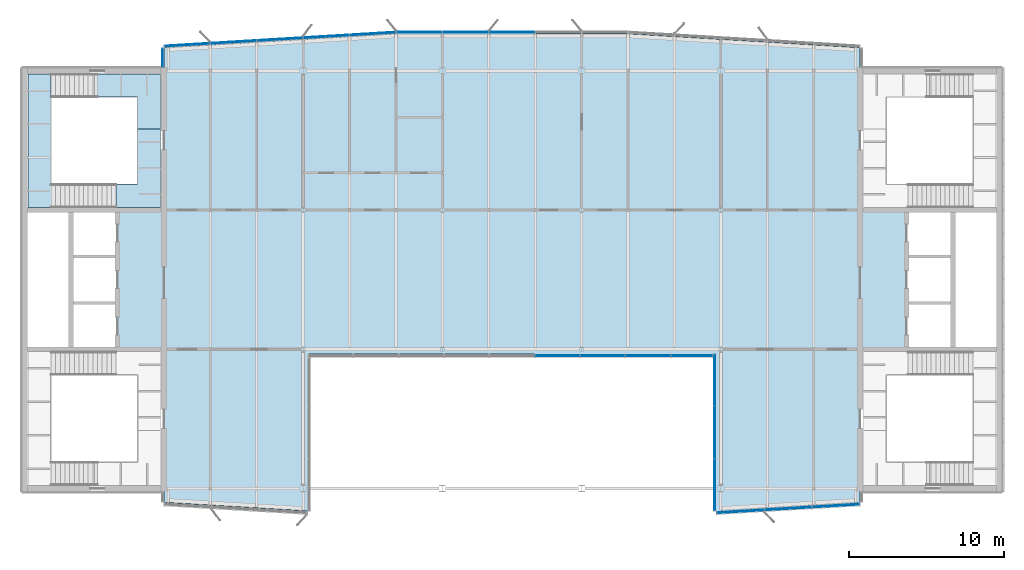
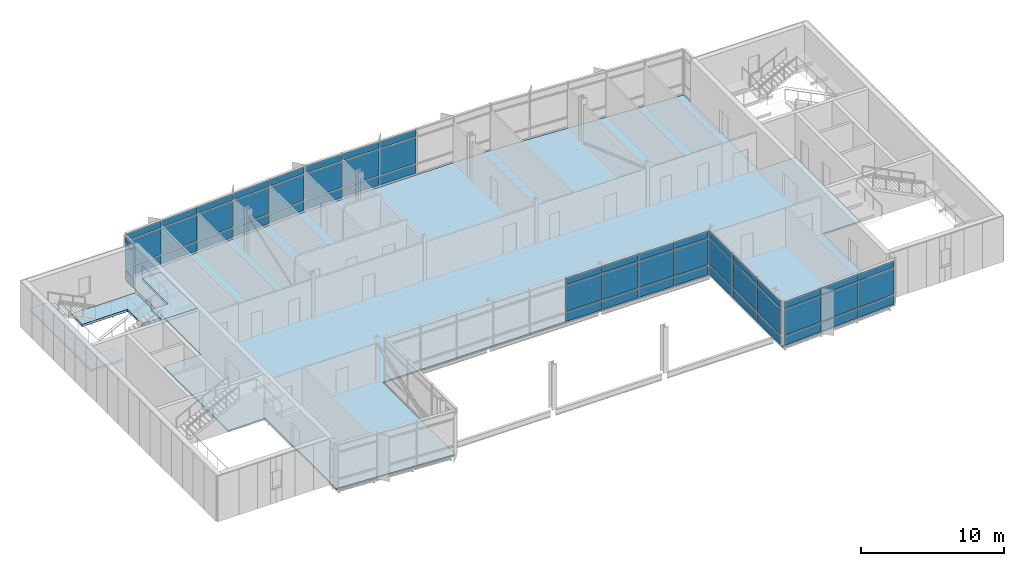
# One storey, part 12 of 20: 57 plates, 4 slabs, 7 elements without a shape of their own.
"""IFC4 building model written with IfcOpenShell, lengths in metres."""

from ifc_helpers import new_model, si_unit, direction, frame, origin, origin_2d, place, context, subcontext, project, spatial, polyline, rectangle, outline, extrude, material, layer, layer_set, type_object, element, aggregate, save


model = new_model("IFC4")

# Units and contexts
model_context = context("Model", 3, precision=1e-05, world=origin(), true_north=direction((0.0, 1.0)))
body_context = subcontext(model_context, "Body", "Model", "MODEL_VIEW")
ifc_project = project(units=[si_unit("LENGTHUNIT", "METRE"), si_unit("AREAUNIT", "SQUARE_METRE"), si_unit("VOLUMEUNIT", "CUBIC_METRE"), si_unit("PLANEANGLEUNIT", "RADIAN"), si_unit("MASSUNIT", "GRAM", prefix="KILO")], contexts=[model_context])

# Site, building, storey
site_placement = place(None, origin())
site = spatial("IfcSite", under=ifc_project, at=site_placement, CompositionType="ELEMENT")
building_placement = place(site_placement, origin())
building = spatial("IfcBuilding", under=site, at=building_placement, Name="Azimuth Sports and Learning Centre", CompositionType="ELEMENT")
storey_placement = place(building_placement, frame((0.0, 0.0, 71.39990234375)))
storey = spatial("IfcBuildingStorey", under=building, at=storey_placement, Name="L16", CompositionType="ELEMENT", Elevation=71.39990234375)

# Slab
ifc_material_1 = material(Name="Concrete C30/37", Category="concrete")
ifc_layer_1 = layer(ifc_material_1, 0.1298828125)
ifc_layer_set_1 = layer_set([ifc_layer_1], Name="Concrete C30/37")
slab_type_1 = type_object("IfcSlabType", Name="Composite floor slab 130", PredefinedType="FLOOR", material=ifc_layer_set_1)
slab_1_placement = place(storey_placement, frame((0.0, 0.0, -0.1298828125)))
element("IfcSlab", 1, at=slab_1_placement, inside=storey, type_object=slab_type_1, Name="Slab TOWER L16", PredefinedType="FLOOR", context=body_context, shape_type="SweptSolid", body=[
    extrude(outline(polyline([(72.300048828125, 88.5419921875), (72.300048828125, 98.699951171875), (98.699951171875, 98.699951171875), (98.699951171875, 88.5419921875), (108.0, 89.10009765625), (108.0, 99.0), (111.0, 99.0), (111.0, 108.0), (108.0, 108.0), (108.0, 118.5), (93.0, 119.39990234375), (78.0, 119.39990234375), (63.0, 118.5), (63.0, 108.0), (60.0, 108.0), (60.0, 99.0), (63.0, 99.0), (63.0, 89.10009765625), (72.300048828125, 88.5419921875)])), origin(), (0.0, 0.0, 1.0), 0.1298828125),
])

# Stair, slabs
ifc_material_2 = material(Name="Concrete C32/40", Category="concrete")
stair_type = type_object("IfcStairType", Name="Square-well stair core 3900 storey", PredefinedType="THREE_QUARTER_TURN_STAIR", material=ifc_material_2)
stair_placement = place(storey_placement, origin())
stair = element("IfcStair", 2, at=stair_placement, inside=storey, type_object=stair_type, Name="Stair W2 L16-L17", PredefinedType="THREE_QUARTER_TURN_STAIR")
ifc_material_3 = material(Name="Concrete C32/40", Category="concrete")
ifc_layer_2 = layer(ifc_material_3, 0.199951171875)
ifc_layer_set_2 = layer_set([ifc_layer_2], Name="Concrete C32/40")
slab_type_2 = type_object("IfcSlabType", Name="Concrete stair landing", PredefinedType="LANDING", material=ifc_layer_set_2)
slab_2_placement = place(storey_placement, frame((0.0, 0.0, -0.199951171875)))
slab_2 = element("IfcSlab", 3, at=slab_2_placement, type_object=slab_type_2, Name="Stair W2 L16 landing 1", PredefinedType="LANDING", context=body_context, shape_type="SweptSolid", body=[
    extrude(outline(polyline([(57.610107421875, 115.2900390625), (61.2900390625, 115.2900390625), (61.2900390625, 113.25), (62.7900390625, 113.25), (62.7900390625, 116.7900390625), (57.610107421875, 116.7900390625), (57.610107421875, 115.2900390625)])), origin(), (0.0, 0.0, 1.0), 0.199951171875),
])
slab_3_placement = place(storey_placement, frame((0.0, 0.0, 1.4501953125)))
slab_3 = element("IfcSlab", 4, at=slab_3_placement, type_object=slab_type_2, Name="Stair W2 L16 landing 2", PredefinedType="LANDING", context=body_context, shape_type="SweptSolid", body=[
    extrude(outline(polyline([(55.7099609375, 115.2900390625), (55.710693359375, 115.2900390625), (55.710693359375, 116.7900390625), (54.2099609375, 116.7900390625), (54.2099609375, 108.159912109375), (56.81005859375, 108.159912109375), (56.81005859375, 109.659912109375), (55.7099609375, 109.659912109375), (55.7099609375, 115.2900390625)])), origin(), (0.0, 0.0, 1.0), 0.199951171875),
])
slab_4_placement = place(storey_placement, frame((0.0, 0.0, 3.7001953125)))
slab_4 = element("IfcSlab", 5, at=slab_4_placement, type_object=slab_type_2, Name="Stair W2 L16 landing 3", PredefinedType="LANDING", context=body_context, shape_type="SweptSolid", body=[
    extrude(outline(polyline([(61.2900390625, 109.659912109375), (59.9091796875, 109.659912109375), (59.9091796875, 108.159912109375), (62.7900390625, 108.159912109375), (62.7900390625, 113.25), (61.2900390625, 113.25), (61.2900390625, 109.659912109375)])), origin(), (0.0, 0.0, 1.0), 0.199951171875),
])
aggregate(stair, [slab_2, slab_3, slab_4])

# Curtain wall, plates
ifc_material_4 = material(Name="Aluminium and glass", Category="aluminium")
curtain_wall_type_1 = type_object("IfcCurtainWallType", Name="Curtain wall tower south 240", PredefinedType="NOTDEFINED", material=ifc_material_4)
curtain_wall_1_placement = place(storey_placement, origin())
curtain_wall_1 = element("IfcCurtainWall", 6, at=curtain_wall_1_placement, inside=storey, type_object=curtain_wall_type_1, Name="Curtain wall CW16-004", PredefinedType="NOTDEFINED")
ifc_material_5 = material(Name="Insulated aluminium panel", Category="aluminium")
ifc_layer_3 = layer(ifc_material_5, 0.050048828125)
ifc_layer_set_3 = layer_set([ifc_layer_3], Name="Insulated aluminium panel")
plate_type_1 = type_object("IfcPlateType", Name="Spandrel panel 50 mm", PredefinedType="CURTAIN_PANEL", material=ifc_layer_set_3)
plate_1_placement = place(storey_placement, frame((88.433349609375, 98.580078125, 0.10009765625), z_axis=(0.0, 0.0, 1.0), x_axis=(1.0, 0.0, 0.0)))
plate_1 = element("IfcPlate", 7, at=plate_1_placement, type_object=plate_type_1, Name="CW16-004 panel 6.1", PredefinedType="CURTAIN_PANEL", context=body_context, shape_type="SweptSolid", body=[
    extrude(rectangle(XDim=2.86328125, YDim=0.050048828125, at=origin_2d()), origin(), (0.0, 0.0, 1.0), 0.75),
])
plate_2_placement = place(storey_placement, frame((88.433349609375, 98.580078125, 3.25), z_axis=(0.0, 0.0, 1.0), x_axis=(1.0, 0.0, 0.0)))
plate_2 = element("IfcPlate", 8, at=plate_2_placement, type_object=plate_type_1, Name="CW16-004 panel 6.3", PredefinedType="CURTAIN_PANEL", context=body_context, shape_type="SweptSolid", body=[
    extrude(rectangle(XDim=2.86328125, YDim=0.050048828125, at=origin_2d()), origin(), (0.0, 0.0, 1.0), 0.550048828125),
])
plate_3_placement = place(storey_placement, frame((91.36669921875, 98.580078125, 0.10009765625), z_axis=(0.0, 0.0, 1.0), x_axis=(1.0, 0.0, 0.0)))
plate_3 = element("IfcPlate", 9, at=plate_3_placement, type_object=plate_type_1, Name="CW16-004 panel 7.1", PredefinedType="CURTAIN_PANEL", context=body_context, shape_type="SweptSolid", body=[
    extrude(rectangle(XDim=2.86328125, YDim=0.050048828125, at=origin_2d()), origin(), (0.0, 0.0, 1.0), 0.75),
])
plate_4_placement = place(storey_placement, frame((91.36669921875, 98.580078125, 3.25), z_axis=(0.0, 0.0, 1.0), x_axis=(1.0, 0.0, 0.0)))
plate_4 = element("IfcPlate", 10, at=plate_4_placement, type_object=plate_type_1, Name="CW16-004 panel 7.3", PredefinedType="CURTAIN_PANEL", context=body_context, shape_type="SweptSolid", body=[
    extrude(rectangle(XDim=2.86328125, YDim=0.050048828125, at=origin_2d()), origin(), (0.0, 0.0, 1.0), 0.550048828125),
])
plate_5_placement = place(storey_placement, frame((94.300048828125, 98.580078125, 0.10009765625), z_axis=(0.0, 0.0, 1.0), x_axis=(1.0, 0.0, 0.0)))
plate_5 = element("IfcPlate", 11, at=plate_5_placement, type_object=plate_type_1, Name="CW16-004 panel 8.1", PredefinedType="CURTAIN_PANEL", context=body_context, shape_type="SweptSolid", body=[
    extrude(rectangle(XDim=2.86328125, YDim=0.050048828125, at=origin_2d()), origin(), (0.0, 0.0, 1.0), 0.75),
])
plate_6_placement = place(storey_placement, frame((94.300048828125, 98.580078125, 3.25), z_axis=(0.0, 0.0, 1.0), x_axis=(1.0, 0.0, 0.0)))
plate_6 = element("IfcPlate", 12, at=plate_6_placement, type_object=plate_type_1, Name="CW16-004 panel 8.3", PredefinedType="CURTAIN_PANEL", context=body_context, shape_type="SweptSolid", body=[
    extrude(rectangle(XDim=2.86328125, YDim=0.050048828125, at=origin_2d()), origin(), (0.0, 0.0, 1.0), 0.550048828125),
])
plate_7_placement = place(storey_placement, frame((97.125732421875, 98.580078125, 0.10009765625), z_axis=(0.0, 0.0, 1.0), x_axis=(1.0, 0.0, 0.0)))
plate_7 = element("IfcPlate", 13, at=plate_7_placement, type_object=plate_type_1, Name="CW16-004 panel 9.1", PredefinedType="CURTAIN_PANEL", context=body_context, shape_type="SweptSolid", body=[
    extrude(rectangle(XDim=2.6484375, YDim=0.050048828125, at=origin_2d()), origin(), (0.0, 0.0, 1.0), 0.75),
])
plate_8_placement = place(storey_placement, frame((97.125732421875, 98.580078125, 3.25), z_axis=(0.0, 0.0, 1.0), x_axis=(1.0, 0.0, 0.0)))
plate_8 = element("IfcPlate", 14, at=plate_8_placement, type_object=plate_type_1, Name="CW16-004 panel 9.3", PredefinedType="CURTAIN_PANEL", context=body_context, shape_type="SweptSolid", body=[
    extrude(rectangle(XDim=2.6484375, YDim=0.050048828125, at=origin_2d()), origin(), (0.0, 0.0, 1.0), 0.550048828125),
])

ifc_material_6 = material(Name="Aluminium and glass", Category="aluminium")
curtain_wall_type_2 = type_object("IfcCurtainWallType", Name="Curtain wall tower return 180", PredefinedType="NOTDEFINED", material=ifc_material_6)
curtain_wall_2_placement = place(storey_placement, origin())
curtain_wall_2 = element("IfcCurtainWall", 15, at=curtain_wall_2_placement, inside=storey, type_object=curtain_wall_type_2, Name="Curtain wall CW16-005", PredefinedType="NOTDEFINED")
plate_9_placement = place(storey_placement, frame((98.610107421875, 96.991943359375, 0.10009765625), z_axis=(0.0, 0.0, 1.0), x_axis=(0.0, -1.0, 0.0)))
plate_9 = element("IfcPlate", 16, at=plate_9_placement, type_object=plate_type_1, Name="CW16-005 panel 1.1", PredefinedType="CURTAIN_PANEL", context=body_context, shape_type="SweptSolid", body=[
    extrude(rectangle(XDim=3.2958984375, YDim=0.050048828125, at=origin_2d()), origin(), (0.0, 0.0, 1.0), 0.75),
])
plate_10_placement = place(storey_placement, frame((98.610107421875, 96.991943359375, 0.9501953125), z_axis=(0.0, 0.0, 1.0), x_axis=(0.0, -1.0, 0.0)))
plate_10 = element("IfcPlate", 17, at=plate_10_placement, type_object=plate_type_1, Name="CW16-005 panel 1.2", PredefinedType="CURTAIN_PANEL", context=body_context, shape_type="SweptSolid", body=[
    extrude(rectangle(XDim=3.2958984375, YDim=0.050048828125, at=origin_2d()), origin(), (0.0, 0.0, 1.0), 2.199951171875),
])
plate_11_placement = place(storey_placement, frame((98.610107421875, 96.991943359375, 3.25), z_axis=(0.0, 0.0, 1.0), x_axis=(0.0, -1.0, 0.0)))
plate_11 = element("IfcPlate", 18, at=plate_11_placement, type_object=plate_type_1, Name="CW16-005 panel 1.3", PredefinedType="CURTAIN_PANEL", context=body_context, shape_type="SweptSolid", body=[
    extrude(rectangle(XDim=3.2958984375, YDim=0.050048828125, at=origin_2d()), origin(), (0.0, 0.0, 1.0), 0.550048828125),
])
plate_12_placement = place(storey_placement, frame((98.610107421875, 93.62109375, 0.10009765625), z_axis=(0.0, 0.0, 1.0), x_axis=(0.0, -1.0, 0.0)))
plate_12 = element("IfcPlate", 19, at=plate_12_placement, type_object=plate_type_1, Name="CW16-005 panel 2.1", PredefinedType="CURTAIN_PANEL", context=body_context, shape_type="SweptSolid", body=[
    extrude(rectangle(XDim=3.325927734375, YDim=0.050048828125, at=origin_2d()), origin(), (0.0, 0.0, 1.0), 0.75),
])
plate_13_placement = place(storey_placement, frame((98.610107421875, 93.62109375, 0.9501953125), z_axis=(0.0, 0.0, 1.0), x_axis=(0.0, -1.0, 0.0)))
plate_13 = element("IfcPlate", 20, at=plate_13_placement, type_object=plate_type_1, Name="CW16-005 panel 2.2", PredefinedType="CURTAIN_PANEL", context=body_context, shape_type="SweptSolid", body=[
    extrude(rectangle(XDim=3.325927734375, YDim=0.050048828125, at=origin_2d()), origin(), (0.0, 0.0, 1.0), 2.199951171875),
])
plate_14_placement = place(storey_placement, frame((98.610107421875, 93.62109375, 3.25), z_axis=(0.0, 0.0, 1.0), x_axis=(0.0, -1.0, 0.0)))
plate_14 = element("IfcPlate", 21, at=plate_14_placement, type_object=plate_type_1, Name="CW16-005 panel 2.3", PredefinedType="CURTAIN_PANEL", context=body_context, shape_type="SweptSolid", body=[
    extrude(rectangle(XDim=3.325927734375, YDim=0.050048828125, at=origin_2d()), origin(), (0.0, 0.0, 1.0), 0.550048828125),
])
plate_15_placement = place(storey_placement, frame((98.610107421875, 90.25, 0.10009765625), z_axis=(0.0, 0.0, 1.0), x_axis=(0.0, -1.0, 0.0)))
plate_15 = element("IfcPlate", 22, at=plate_15_placement, type_object=plate_type_1, Name="CW16-005 panel 3.1", PredefinedType="CURTAIN_PANEL", context=body_context, shape_type="SweptSolid", body=[
    extrude(rectangle(XDim=3.2958984375, YDim=0.050048828125, at=origin_2d()), origin(), (0.0, 0.0, 1.0), 0.75),
])
plate_16_placement = place(storey_placement, frame((98.610107421875, 90.25, 0.9501953125), z_axis=(0.0, 0.0, 1.0), x_axis=(0.0, -1.0, 0.0)))
plate_16 = element("IfcPlate", 23, at=plate_16_placement, type_object=plate_type_1, Name="CW16-005 panel 3.2", PredefinedType="CURTAIN_PANEL", context=body_context, shape_type="SweptSolid", body=[
    extrude(rectangle(XDim=3.2958984375, YDim=0.050048828125, at=origin_2d()), origin(), (0.0, 0.0, 1.0), 2.199951171875),
])
plate_17_placement = place(storey_placement, frame((98.610107421875, 90.25, 3.25), z_axis=(0.0, 0.0, 1.0), x_axis=(0.0, -1.0, 0.0)))
plate_17 = element("IfcPlate", 24, at=plate_17_placement, type_object=plate_type_1, Name="CW16-005 panel 3.3", PredefinedType="CURTAIN_PANEL", context=body_context, shape_type="SweptSolid", body=[
    extrude(rectangle(XDim=3.2958984375, YDim=0.050048828125, at=origin_2d()), origin(), (0.0, 0.0, 1.0), 0.550048828125),
])
aggregate(curtain_wall_2, [plate_9, plate_10, plate_11, plate_12, plate_13, plate_14, plate_15, plate_16, plate_17])

curtain_wall_3_placement = place(storey_placement, origin())
curtain_wall_3 = element("IfcCurtainWall", 25, at=curtain_wall_3_placement, inside=storey, type_object=curtain_wall_type_1, Name="Curtain wall CW16-006", PredefinedType="NOTDEFINED")
plate_18_placement = place(storey_placement, frame((100.274658203125, 88.516357421875, 0.10009765625), z_axis=(0.0, 0.0, 1.0), x_axis=(0.998204863401, 0.059891991812, 0.0)))
plate_18 = element("IfcPlate", 26, at=plate_18_placement, type_object=plate_type_1, Name="CW16-006 panel 1.1", PredefinedType="CURTAIN_PANEL", context=body_context, shape_type="SweptSolid", body=[
    extrude(rectangle(XDim=3.00048828125, YDim=0.050048828125, at=origin_2d()), origin(), (0.0, 0.0, 1.0), 0.75),
])
plate_19_placement = place(storey_placement, frame((100.274658203125, 88.516357421875, 3.25), z_axis=(0.0, 0.0, 1.0), x_axis=(0.998204863401, 0.059891991812, 0.0)))
plate_19 = element("IfcPlate", 27, at=plate_19_placement, type_object=plate_type_1, Name="CW16-006 panel 1.3", PredefinedType="CURTAIN_PANEL", context=body_context, shape_type="SweptSolid", body=[
    extrude(rectangle(XDim=3.00048828125, YDim=0.050048828125, at=origin_2d()), origin(), (0.0, 0.0, 1.0), 0.550048828125),
])
plate_20_placement = place(storey_placement, frame((103.357177734375, 88.701171875, 0.10009765625), z_axis=(0.0, 0.0, 1.0), x_axis=(0.998204863401, 0.059891991812, 0.0)))
plate_20 = element("IfcPlate", 28, at=plate_20_placement, type_object=plate_type_1, Name="CW16-006 panel 2.1", PredefinedType="CURTAIN_PANEL", context=body_context, shape_type="SweptSolid", body=[
    extrude(rectangle(XDim=3.03564453125, YDim=0.050048828125, at=origin_2d()), origin(), (0.0, 0.0, 1.0), 0.75),
])
plate_21_placement = place(storey_placement, frame((103.357177734375, 88.701171875, 3.25), z_axis=(0.0, 0.0, 1.0), x_axis=(0.998204863401, 0.059891991812, 0.0)))
plate_21 = element("IfcPlate", 29, at=plate_21_placement, type_object=plate_type_1, Name="CW16-006 panel 2.3", PredefinedType="CURTAIN_PANEL", context=body_context, shape_type="SweptSolid", body=[
    extrude(rectangle(XDim=3.03564453125, YDim=0.050048828125, at=origin_2d()), origin(), (0.0, 0.0, 1.0), 0.550048828125),
])
plate_22_placement = place(storey_placement, frame((106.439697265625, 88.88623046875, 0.10009765625), z_axis=(0.0, 0.0, 1.0), x_axis=(0.998204863401, 0.059891991812, 0.0)))
plate_22 = element("IfcPlate", 30, at=plate_22_placement, type_object=plate_type_1, Name="CW16-006 panel 3.1", PredefinedType="CURTAIN_PANEL", context=body_context, shape_type="SweptSolid", body=[
    extrude(rectangle(XDim=3.00048828125, YDim=0.050048828125, at=origin_2d()), origin(), (0.0, 0.0, 1.0), 0.75),
])
plate_23_placement = place(storey_placement, frame((106.439697265625, 88.88623046875, 3.25), z_axis=(0.0, 0.0, 1.0), x_axis=(0.998204863401, 0.059891991812, 0.0)))
plate_23 = element("IfcPlate", 31, at=plate_23_placement, type_object=plate_type_1, Name="CW16-006 panel 3.3", PredefinedType="CURTAIN_PANEL", context=body_context, shape_type="SweptSolid", body=[
    extrude(rectangle(XDim=3.00048828125, YDim=0.050048828125, at=origin_2d()), origin(), (0.0, 0.0, 1.0), 0.550048828125),
])

ifc_material_7 = material(Name="Aluminium and glass", Category="aluminium")
curtain_wall_type_3 = type_object("IfcCurtainWallType", Name="Curtain wall tower north 180", PredefinedType="NOTDEFINED", material=ifc_material_7)
curtain_wall_4_placement = place(storey_placement, origin())
curtain_wall_4 = element("IfcCurtainWall", 32, at=curtain_wall_4_placement, inside=storey, type_object=curtain_wall_type_3, Name="Curtain wall CW16-010", PredefinedType="NOTDEFINED")
plate_24_placement = place(storey_placement, frame((85.5, 119.489990234375, 0.10009765625), z_axis=(0.0, 0.0, 1.0), x_axis=(-1.0, 0.0, 0.0)))
plate_24 = element("IfcPlate", 33, at=plate_24_placement, type_object=plate_type_1, Name="CW16-010 panel 3.1", PredefinedType="CURTAIN_PANEL", context=body_context, shape_type="SweptSolid", body=[
    extrude(rectangle(XDim=2.93994140625, YDim=0.050048828125, at=origin_2d()), origin(), (0.0, 0.0, 1.0), 0.75),
])
plate_25_placement = place(storey_placement, frame((85.5, 119.489990234375, 3.25), z_axis=(0.0, 0.0, 1.0), x_axis=(-1.0, 0.0, 0.0)))
plate_25 = element("IfcPlate", 34, at=plate_25_placement, type_object=plate_type_1, Name="CW16-010 panel 3.3", PredefinedType="CURTAIN_PANEL", context=body_context, shape_type="SweptSolid", body=[
    extrude(rectangle(XDim=2.93994140625, YDim=0.050048828125, at=origin_2d()), origin(), (0.0, 0.0, 1.0), 0.550048828125),
])
plate_26_placement = place(storey_placement, frame((82.5, 119.489990234375, 0.10009765625), z_axis=(0.0, 0.0, 1.0), x_axis=(-1.0, 0.0, 0.0)))
plate_26 = element("IfcPlate", 35, at=plate_26_placement, type_object=plate_type_1, Name="CW16-010 panel 4.1", PredefinedType="CURTAIN_PANEL", context=body_context, shape_type="SweptSolid", body=[
    extrude(rectangle(XDim=2.93994140625, YDim=0.050048828125, at=origin_2d()), origin(), (0.0, 0.0, 1.0), 0.75),
])
plate_27_placement = place(storey_placement, frame((82.5, 119.489990234375, 3.25), z_axis=(0.0, 0.0, 1.0), x_axis=(-1.0, 0.0, 0.0)))
plate_27 = element("IfcPlate", 36, at=plate_27_placement, type_object=plate_type_1, Name="CW16-010 panel 4.3", PredefinedType="CURTAIN_PANEL", context=body_context, shape_type="SweptSolid", body=[
    extrude(rectangle(XDim=2.93994140625, YDim=0.050048828125, at=origin_2d()), origin(), (0.0, 0.0, 1.0), 0.550048828125),
])
plate_28_placement = place(storey_placement, frame((79.514892578125, 119.489990234375, 0.10009765625), z_axis=(0.0, 0.0, 1.0), x_axis=(-1.0, 0.0, 0.0)))
plate_28 = element("IfcPlate", 37, at=plate_28_placement, type_object=plate_type_1, Name="CW16-010 panel 5.1", PredefinedType="CURTAIN_PANEL", context=body_context, shape_type="SweptSolid", body=[
    extrude(rectangle(XDim=2.909912109375, YDim=0.050048828125, at=origin_2d()), origin(), (0.0, 0.0, 1.0), 0.75),
])
plate_29_placement = place(storey_placement, frame((79.514892578125, 119.489990234375, 3.25), z_axis=(0.0, 0.0, 1.0), x_axis=(-1.0, 0.0, 0.0)))
plate_29 = element("IfcPlate", 38, at=plate_29_placement, type_object=plate_type_1, Name="CW16-010 panel 5.3", PredefinedType="CURTAIN_PANEL", context=body_context, shape_type="SweptSolid", body=[
    extrude(rectangle(XDim=2.909912109375, YDim=0.050048828125, at=origin_2d()), origin(), (0.0, 0.0, 1.0), 0.550048828125),
])

curtain_wall_5_placement = place(storey_placement, origin())
curtain_wall_5 = element("IfcCurtainWall", 39, at=curtain_wall_5_placement, inside=storey, type_object=curtain_wall_type_3, Name="Curtain wall CW16-011", PredefinedType="NOTDEFINED")
plate_30_placement = place(storey_placement, frame((76.482421875, 119.399169921875, 0.10009765625), z_axis=(0.0, 0.0, 1.0), x_axis=(-0.998204863401, -0.059891991812, 0.0)))
plate_30 = element("IfcPlate", 40, at=plate_30_placement, type_object=plate_type_1, Name="CW16-011 panel 1.1", PredefinedType="CURTAIN_PANEL", context=body_context, shape_type="SweptSolid", body=[
    extrude(rectangle(XDim=2.9208984375, YDim=0.050048828125, at=origin_2d()), origin(), (0.0, 0.0, 1.0), 0.75),
])
plate_31_placement = place(storey_placement, frame((76.482421875, 119.399169921875, 3.25), z_axis=(0.0, 0.0, 1.0), x_axis=(-0.998204863401, -0.059891991812, 0.0)))
plate_31 = element("IfcPlate", 41, at=plate_31_placement, type_object=plate_type_1, Name="CW16-011 panel 1.3", PredefinedType="CURTAIN_PANEL", context=body_context, shape_type="SweptSolid", body=[
    extrude(rectangle(XDim=2.9208984375, YDim=0.050048828125, at=origin_2d()), origin(), (0.0, 0.0, 1.0), 0.550048828125),
])
plate_32_placement = place(storey_placement, frame((73.49462890625, 119.2197265625, 0.10009765625), z_axis=(0.0, 0.0, 1.0), x_axis=(-0.998204863401, -0.059891991812, 0.0)))
plate_32 = element("IfcPlate", 42, at=plate_32_placement, type_object=plate_type_1, Name="CW16-011 panel 2.1", PredefinedType="CURTAIN_PANEL", context=body_context, shape_type="SweptSolid", body=[
    extrude(rectangle(XDim=2.9453125, YDim=0.050048828125, at=origin_2d()), origin(), (0.0, 0.0, 1.0), 0.75),
])
plate_33_placement = place(storey_placement, frame((73.49462890625, 119.2197265625, 3.25), z_axis=(0.0, 0.0, 1.0), x_axis=(-0.998204863401, -0.059891991812, 0.0)))
plate_33 = element("IfcPlate", 43, at=plate_33_placement, type_object=plate_type_1, Name="CW16-011 panel 2.3", PredefinedType="CURTAIN_PANEL", context=body_context, shape_type="SweptSolid", body=[
    extrude(rectangle(XDim=2.9453125, YDim=0.050048828125, at=origin_2d()), origin(), (0.0, 0.0, 1.0), 0.550048828125),
])
plate_34_placement = place(storey_placement, frame((70.49462890625, 119.039794921875, 0.10009765625), z_axis=(0.0, 0.0, 1.0), x_axis=(-0.998204863401, -0.059891991812, 0.0)))
plate_34 = element("IfcPlate", 44, at=plate_34_placement, type_object=plate_type_1, Name="CW16-011 panel 3.1", PredefinedType="CURTAIN_PANEL", context=body_context, shape_type="SweptSolid", body=[
    extrude(rectangle(XDim=2.9453125, YDim=0.050048828125, at=origin_2d()), origin(), (0.0, 0.0, 1.0), 0.75),
])
plate_35_placement = place(storey_placement, frame((70.49462890625, 119.039794921875, 3.25), z_axis=(0.0, 0.0, 1.0), x_axis=(-0.998204863401, -0.059891991812, 0.0)))
plate_35 = element("IfcPlate", 45, at=plate_35_placement, type_object=plate_type_1, Name="CW16-011 panel 3.3", PredefinedType="CURTAIN_PANEL", context=body_context, shape_type="SweptSolid", body=[
    extrude(rectangle(XDim=2.9453125, YDim=0.050048828125, at=origin_2d()), origin(), (0.0, 0.0, 1.0), 0.550048828125),
])
plate_36_placement = place(storey_placement, frame((67.49462890625, 118.85986328125, 0.10009765625), z_axis=(0.0, 0.0, 1.0), x_axis=(-0.998204863401, -0.059891991812, 0.0)))
plate_36 = element("IfcPlate", 46, at=plate_36_placement, type_object=plate_type_1, Name="CW16-011 panel 4.1", PredefinedType="CURTAIN_PANEL", context=body_context, shape_type="SweptSolid", body=[
    extrude(rectangle(XDim=2.9453125, YDim=0.050048828125, at=origin_2d()), origin(), (0.0, 0.0, 1.0), 0.75),
])
plate_37_placement = place(storey_placement, frame((67.49462890625, 118.85986328125, 3.25), z_axis=(0.0, 0.0, 1.0), x_axis=(-0.998204863401, -0.059891991812, 0.0)))
plate_37 = element("IfcPlate", 47, at=plate_37_placement, type_object=plate_type_1, Name="CW16-011 panel 4.3", PredefinedType="CURTAIN_PANEL", context=body_context, shape_type="SweptSolid", body=[
    extrude(rectangle(XDim=2.9453125, YDim=0.050048828125, at=origin_2d()), origin(), (0.0, 0.0, 1.0), 0.550048828125),
])
plate_38_placement = place(storey_placement, frame((64.509521484375, 118.6806640625, 0.10009765625), z_axis=(0.0, 0.0, 1.0), x_axis=(-0.998204863401, -0.059891991812, 0.0)))
plate_38 = element("IfcPlate", 48, at=plate_38_placement, type_object=plate_type_1, Name="CW16-011 panel 5.1", PredefinedType="CURTAIN_PANEL", context=body_context, shape_type="SweptSolid", body=[
    extrude(rectangle(XDim=2.915283203125, YDim=0.050048828125, at=origin_2d()), origin(), (0.0, 0.0, 1.0), 0.75),
])
plate_39_placement = place(storey_placement, frame((64.509521484375, 118.6806640625, 3.25), z_axis=(0.0, 0.0, 1.0), x_axis=(-0.998204863401, -0.059891991812, 0.0)))
plate_39 = element("IfcPlate", 49, at=plate_39_placement, type_object=plate_type_1, Name="CW16-011 panel 5.3", PredefinedType="CURTAIN_PANEL", context=body_context, shape_type="SweptSolid", body=[
    extrude(rectangle(XDim=2.915283203125, YDim=0.050048828125, at=origin_2d()), origin(), (0.0, 0.0, 1.0), 0.550048828125),
])

curtain_wall_6_placement = place(storey_placement, origin())
curtain_wall_6 = element("IfcCurtainWall", 50, at=curtain_wall_6_placement, inside=storey, type_object=curtain_wall_type_2, Name="Curtain wall CW16-012", PredefinedType="NOTDEFINED")
plate_40_placement = place(storey_placement, frame((62.909912109375, 117.85009765625, 0.10009765625), z_axis=(0.0, 0.0, 1.0), x_axis=(0.0, -1.0, 0.0)))
plate_40 = element("IfcPlate", 51, at=plate_40_placement, type_object=plate_type_1, Name="CW16-012 panel 1.1", PredefinedType="CURTAIN_PANEL", context=body_context, shape_type="SweptSolid", body=[
    extrude(rectangle(XDim=1.179931640625, YDim=0.050048828125, at=origin_2d()), origin(), (0.0, 0.0, 1.0), 0.75),
])
plate_41_placement = place(storey_placement, frame((62.909912109375, 117.85009765625, 3.25), z_axis=(0.0, 0.0, 1.0), x_axis=(0.0, -1.0, 0.0)))
plate_41 = element("IfcPlate", 52, at=plate_41_placement, type_object=plate_type_1, Name="CW16-012 panel 1.3", PredefinedType="CURTAIN_PANEL", context=body_context, shape_type="SweptSolid", body=[
    extrude(rectangle(XDim=1.179931640625, YDim=0.050048828125, at=origin_2d()), origin(), (0.0, 0.0, 1.0), 0.550048828125),
])

# Plate
ifc_material_8 = material(Name="Glass", Category="glass")
ifc_layer_4 = layer(ifc_material_8, 0.031982421875)
ifc_layer_set_4 = layer_set([ifc_layer_4], Name="Glass")
plate_type_2 = type_object("IfcPlateType", Name="Vision glass 32 mm", PredefinedType="CURTAIN_PANEL", material=ifc_layer_set_4)
plate_42_placement = place(storey_placement, frame((88.433349609375, 98.580078125, 0.9501953125), z_axis=(0.0, 0.0, 1.0), x_axis=(1.0, 0.0, 0.0)))
plate_42 = element("IfcPlate", 53, at=plate_42_placement, type_object=plate_type_2, Name="CW16-004 panel 6.2", PredefinedType="CURTAIN_PANEL", context=body_context, shape_type="SweptSolid", body=[
    extrude(rectangle(XDim=2.86328125, YDim=0.031982421875, at=origin_2d()), origin(), (0.0, 0.0, 1.0), 2.199951171875),
])

plate_43_placement = place(storey_placement, frame((91.36669921875, 98.580078125, 0.9501953125), z_axis=(0.0, 0.0, 1.0), x_axis=(1.0, 0.0, 0.0)))
plate_43 = element("IfcPlate", 54, at=plate_43_placement, type_object=plate_type_2, Name="CW16-004 panel 7.2", PredefinedType="CURTAIN_PANEL", context=body_context, shape_type="SweptSolid", body=[
    extrude(rectangle(XDim=2.86328125, YDim=0.031982421875, at=origin_2d()), origin(), (0.0, 0.0, 1.0), 2.199951171875),
])

plate_44_placement = place(storey_placement, frame((94.300048828125, 98.580078125, 0.9501953125), z_axis=(0.0, 0.0, 1.0), x_axis=(1.0, 0.0, 0.0)))
plate_44 = element("IfcPlate", 55, at=plate_44_placement, type_object=plate_type_2, Name="CW16-004 panel 8.2", PredefinedType="CURTAIN_PANEL", context=body_context, shape_type="SweptSolid", body=[
    extrude(rectangle(XDim=2.86328125, YDim=0.031982421875, at=origin_2d()), origin(), (0.0, 0.0, 1.0), 2.199951171875),
])

plate_45_placement = place(storey_placement, frame((97.125732421875, 98.580078125, 0.9501953125), z_axis=(0.0, 0.0, 1.0), x_axis=(1.0, 0.0, 0.0)))
plate_45 = element("IfcPlate", 56, at=plate_45_placement, type_object=plate_type_2, Name="CW16-004 panel 9.2", PredefinedType="CURTAIN_PANEL", context=body_context, shape_type="SweptSolid", body=[
    extrude(rectangle(XDim=2.6484375, YDim=0.031982421875, at=origin_2d()), origin(), (0.0, 0.0, 1.0), 2.199951171875),
])

aggregate(curtain_wall_1, [plate_1, plate_42, plate_2, plate_3, plate_43, plate_4, plate_5, plate_44, plate_6, plate_7, plate_45, plate_8])

plate_46_placement = place(storey_placement, frame((100.274658203125, 88.516357421875, 0.9501953125), z_axis=(0.0, 0.0, 1.0), x_axis=(0.998204863401, 0.059891991812, 0.0)))
plate_46 = element("IfcPlate", 57, at=plate_46_placement, type_object=plate_type_2, Name="CW16-006 panel 1.2", PredefinedType="CURTAIN_PANEL", context=body_context, shape_type="SweptSolid", body=[
    extrude(rectangle(XDim=3.00048828125, YDim=0.031982421875, at=origin_2d()), origin(), (0.0, 0.0, 1.0), 2.199951171875),
])

plate_47_placement = place(storey_placement, frame((103.357177734375, 88.701171875, 0.9501953125), z_axis=(0.0, 0.0, 1.0), x_axis=(0.998204863401, 0.059891991812, 0.0)))
plate_47 = element("IfcPlate", 58, at=plate_47_placement, type_object=plate_type_2, Name="CW16-006 panel 2.2", PredefinedType="CURTAIN_PANEL", context=body_context, shape_type="SweptSolid", body=[
    extrude(rectangle(XDim=3.03564453125, YDim=0.031982421875, at=origin_2d()), origin(), (0.0, 0.0, 1.0), 2.199951171875),
])

plate_48_placement = place(storey_placement, frame((106.439697265625, 88.88623046875, 0.9501953125), z_axis=(0.0, 0.0, 1.0), x_axis=(0.998204863401, 0.059891991812, 0.0)))
plate_48 = element("IfcPlate", 59, at=plate_48_placement, type_object=plate_type_2, Name="CW16-006 panel 3.2", PredefinedType="CURTAIN_PANEL", context=body_context, shape_type="SweptSolid", body=[
    extrude(rectangle(XDim=3.00048828125, YDim=0.031982421875, at=origin_2d()), origin(), (0.0, 0.0, 1.0), 2.199951171875),
])

aggregate(curtain_wall_3, [plate_18, plate_46, plate_19, plate_20, plate_47, plate_21, plate_22, plate_48, plate_23])

plate_49_placement = place(storey_placement, frame((85.5, 119.489990234375, 0.9501953125), z_axis=(0.0, 0.0, 1.0), x_axis=(-1.0, 0.0, 0.0)))
plate_49 = element("IfcPlate", 60, at=plate_49_placement, type_object=plate_type_2, Name="CW16-010 panel 3.2", PredefinedType="CURTAIN_PANEL", context=body_context, shape_type="SweptSolid", body=[
    extrude(rectangle(XDim=2.93994140625, YDim=0.031982421875, at=origin_2d()), origin(), (0.0, 0.0, 1.0), 2.199951171875),
])

plate_50_placement = place(storey_placement, frame((82.5, 119.489990234375, 0.9501953125), z_axis=(0.0, 0.0, 1.0), x_axis=(-1.0, 0.0, 0.0)))
plate_50 = element("IfcPlate", 61, at=plate_50_placement, type_object=plate_type_2, Name="CW16-010 panel 4.2", PredefinedType="CURTAIN_PANEL", context=body_context, shape_type="SweptSolid", body=[
    extrude(rectangle(XDim=2.93994140625, YDim=0.031982421875, at=origin_2d()), origin(), (0.0, 0.0, 1.0), 2.199951171875),
])

plate_51_placement = place(storey_placement, frame((79.514892578125, 119.489990234375, 0.9501953125), z_axis=(0.0, 0.0, 1.0), x_axis=(-1.0, 0.0, 0.0)))
plate_51 = element("IfcPlate", 62, at=plate_51_placement, type_object=plate_type_2, Name="CW16-010 panel 5.2", PredefinedType="CURTAIN_PANEL", context=body_context, shape_type="SweptSolid", body=[
    extrude(rectangle(XDim=2.909912109375, YDim=0.031982421875, at=origin_2d()), origin(), (0.0, 0.0, 1.0), 2.199951171875),
])

aggregate(curtain_wall_4, [plate_24, plate_49, plate_25, plate_26, plate_50, plate_27, plate_28, plate_51, plate_29])

plate_52_placement = place(storey_placement, frame((76.482421875, 119.399169921875, 0.9501953125), z_axis=(0.0, 0.0, 1.0), x_axis=(-0.998204863401, -0.059891991812, 0.0)))
plate_52 = element("IfcPlate", 63, at=plate_52_placement, type_object=plate_type_2, Name="CW16-011 panel 1.2", PredefinedType="CURTAIN_PANEL", context=body_context, shape_type="SweptSolid", body=[
    extrude(rectangle(XDim=2.9208984375, YDim=0.031982421875, at=origin_2d()), origin(), (0.0, 0.0, 1.0), 2.199951171875),
])

plate_53_placement = place(storey_placement, frame((73.49462890625, 119.2197265625, 0.9501953125), z_axis=(0.0, 0.0, 1.0), x_axis=(-0.998204863401, -0.059891991812, 0.0)))
plate_53 = element("IfcPlate", 64, at=plate_53_placement, type_object=plate_type_2, Name="CW16-011 panel 2.2", PredefinedType="CURTAIN_PANEL", context=body_context, shape_type="SweptSolid", body=[
    extrude(rectangle(XDim=2.9453125, YDim=0.031982421875, at=origin_2d()), origin(), (0.0, 0.0, 1.0), 2.199951171875),
])

plate_54_placement = place(storey_placement, frame((70.49462890625, 119.039794921875, 0.9501953125), z_axis=(0.0, 0.0, 1.0), x_axis=(-0.998204863401, -0.059891991812, 0.0)))
plate_54 = element("IfcPlate", 65, at=plate_54_placement, type_object=plate_type_2, Name="CW16-011 panel 3.2", PredefinedType="CURTAIN_PANEL", context=body_context, shape_type="SweptSolid", body=[
    extrude(rectangle(XDim=2.9453125, YDim=0.031982421875, at=origin_2d()), origin(), (0.0, 0.0, 1.0), 2.199951171875),
])

plate_55_placement = place(storey_placement, frame((67.49462890625, 118.85986328125, 0.9501953125), z_axis=(0.0, 0.0, 1.0), x_axis=(-0.998204863401, -0.059891991812, 0.0)))
plate_55 = element("IfcPlate", 66, at=plate_55_placement, type_object=plate_type_2, Name="CW16-011 panel 4.2", PredefinedType="CURTAIN_PANEL", context=body_context, shape_type="SweptSolid", body=[
    extrude(rectangle(XDim=2.9453125, YDim=0.031982421875, at=origin_2d()), origin(), (0.0, 0.0, 1.0), 2.199951171875),
])

plate_56_placement = place(storey_placement, frame((64.509521484375, 118.6806640625, 0.9501953125), z_axis=(0.0, 0.0, 1.0), x_axis=(-0.998204863401, -0.059891991812, 0.0)))
plate_56 = element("IfcPlate", 67, at=plate_56_placement, type_object=plate_type_2, Name="CW16-011 panel 5.2", PredefinedType="CURTAIN_PANEL", context=body_context, shape_type="SweptSolid", body=[
    extrude(rectangle(XDim=2.915283203125, YDim=0.031982421875, at=origin_2d()), origin(), (0.0, 0.0, 1.0), 2.199951171875),
])

aggregate(curtain_wall_5, [plate_30, plate_52, plate_31, plate_32, plate_53, plate_33, plate_34, plate_54, plate_35, plate_36, plate_55, plate_37, plate_38, plate_56, plate_39])

plate_57_placement = place(storey_placement, frame((62.909912109375, 117.85009765625, 0.9501953125), z_axis=(0.0, 0.0, 1.0), x_axis=(0.0, -1.0, 0.0)))
plate_57 = element("IfcPlate", 68, at=plate_57_placement, type_object=plate_type_2, Name="CW16-012 panel 1.2", PredefinedType="CURTAIN_PANEL", context=body_context, shape_type="SweptSolid", body=[
    extrude(rectangle(XDim=1.179931640625, YDim=0.031982421875, at=origin_2d()), origin(), (0.0, 0.0, 1.0), 2.199951171875),
])

aggregate(curtain_wall_6, [plate_40, plate_57, plate_41])

save(model, "model.ifc")
